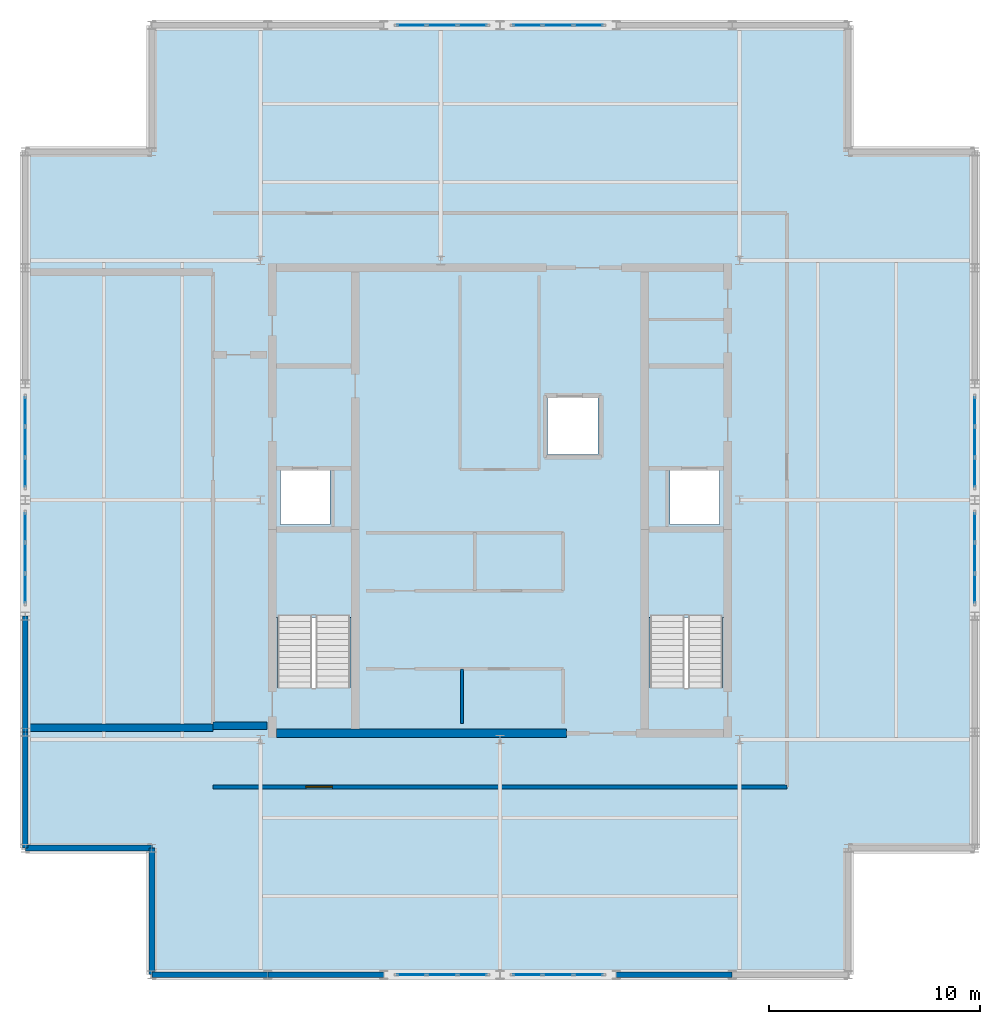
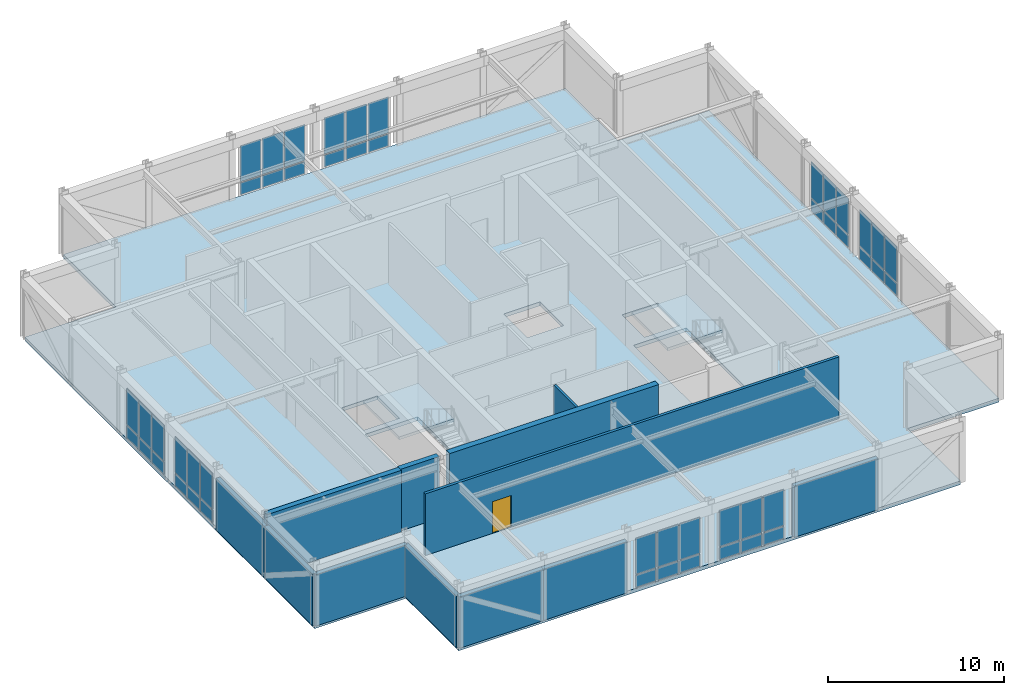
# One storey, part 6 of 9: 48 plates, 12 walls, 3 slabs, 1 door, 1 opening, 10 elements without a shape of their own.
"""IFC4 building model written with IfcOpenShell, lengths in metres."""

from ifc_helpers import new_model, si_unit, direction, frame, frame_2d, origin, origin_2d, place, context, subcontext, project, spatial, polyline, rectangle, outline, extrude, material, layer, layer_set, type_object, element, fill, aggregate, save


model = new_model("IFC4")

# Units and contexts
model_context = context("Model", 3, precision=1e-05, world=origin(), true_north=direction((0.0, 1.0)))
body_context = subcontext(model_context, "Body", "Model", "MODEL_VIEW")
ifc_project = project(units=[si_unit("LENGTHUNIT", "METRE"), si_unit("AREAUNIT", "SQUARE_METRE"), si_unit("VOLUMEUNIT", "CUBIC_METRE"), si_unit("PLANEANGLEUNIT", "RADIAN"), si_unit("MASSUNIT", "GRAM", prefix="KILO")], contexts=[model_context])

# Site, building, storey
site_placement = place(None, origin())
site = spatial("IfcSite", under=ifc_project, at=site_placement, CompositionType="ELEMENT")
building_placement = place(site_placement, origin())
building = spatial("IfcBuilding", under=site, at=building_placement, Name="Nhamokura Convention Tower", CompositionType="ELEMENT")
storey_placement = place(building_placement, frame((0.0, 0.0, 322.35009765625)))
storey = spatial("IfcBuildingStorey", under=building, at=storey_placement, Name="L79", CompositionType="ELEMENT", Elevation=322.35009765625)

# Curtain wall, plates
ifc_material_1 = material(Name="Anodised bronze aluminium AA6063-T6", Category="aluminium")
ifc_layer_1 = layer(ifc_material_1, 0.2099609375)
ifc_layer_set_1 = layer_set([ifc_layer_1], Name="CWSystem_SlantedCrown")
curtain_wall_type = type_object("IfcCurtainWallType", Name="CWSystem_SlantedCrown", PredefinedType="NOTDEFINED", material=ifc_layer_set_1)
curtain_wall_1_placement = place(storey_placement, origin())
curtain_wall_1 = element("IfcCurtainWall", 1, at=curtain_wall_1_placement, inside=storey, type_object=curtain_wall_type, Name="L79 Curtain Wall ENV-L79-CRCW-S2", PredefinedType="NOTDEFINED")
ifc_material_2 = material(Name="Solar-control bronze low-E double glass", Category="glass")
ifc_layer_2 = layer(ifc_material_2, 0.0400390625)
ifc_layer_set_2 = layer_set([ifc_layer_2], Name="CWGlazedPanel_3")
plate_type = type_object("IfcPlateType", Name="CWGlazedPanel_3", PredefinedType="CURTAIN_PANEL", material=ifc_layer_set_2)
plate_1_placement = place(storey_placement, frame((30.69677734375, 9.5, 0.079833984375), z_axis=(0.0, 0.0, 1.0), x_axis=(-1.0, 0.0, 0.0)))
plate_1 = element("IfcPlate", 2, at=plate_1_placement, type_object=plate_type, Name="CW-07 panel 1.1", PredefinedType="CURTAIN_PANEL", context=body_context, shape_type="SweptSolid", body=[
    extrude(rectangle(XDim=1.3466796875, YDim=0.0400390625, at=origin_2d()), origin(), (0.0, 0.0, 1.0), 0.830078125),
])
plate_2_placement = place(storey_placement, frame((30.69677734375, 9.5, 0.989990234375), z_axis=(0.0, 0.0, 1.0), x_axis=(-1.0, 0.0, 0.0)))
plate_2 = element("IfcPlate", 3, at=plate_2_placement, type_object=plate_type, Name="CW-07 panel 1.2", PredefinedType="CURTAIN_PANEL", context=body_context, shape_type="SweptSolid", body=[
    extrude(rectangle(XDim=1.3466796875, YDim=0.0400390625, at=origin_2d()), origin(), (0.0, 0.0, 1.0), 2.5),
])
plate_3_placement = place(storey_placement, frame((29.25, 9.5, 0.079833984375), z_axis=(0.0, 0.0, 1.0), x_axis=(-1.0, 0.0, 0.0)))
plate_3 = element("IfcPlate", 4, at=plate_3_placement, type_object=plate_type, Name="CW-07 panel 2.1", PredefinedType="CURTAIN_PANEL", context=body_context, shape_type="SweptSolid", body=[
    extrude(rectangle(XDim=1.38671875, YDim=0.0400390625, at=origin_2d()), origin(), (0.0, 0.0, 1.0), 0.830078125),
])
plate_4_placement = place(storey_placement, frame((29.25, 9.5, 0.989990234375), z_axis=(0.0, 0.0, 1.0), x_axis=(-1.0, 0.0, 0.0)))
plate_4 = element("IfcPlate", 5, at=plate_4_placement, type_object=plate_type, Name="CW-07 panel 2.2", PredefinedType="CURTAIN_PANEL", context=body_context, shape_type="SweptSolid", body=[
    extrude(rectangle(XDim=1.38671875, YDim=0.0400390625, at=origin_2d()), origin(), (0.0, 0.0, 1.0), 2.5),
])
plate_5_placement = place(storey_placement, frame((27.80322265625, 9.5, 0.079833984375), z_axis=(0.0, 0.0, 1.0), x_axis=(-1.0, 0.0, 0.0)))
plate_5 = element("IfcPlate", 6, at=plate_5_placement, type_object=plate_type, Name="CW-07 panel 3.1", PredefinedType="CURTAIN_PANEL", context=body_context, shape_type="SweptSolid", body=[
    extrude(rectangle(XDim=1.3466796875, YDim=0.0400390625, at=origin_2d()), origin(), (0.0, 0.0, 1.0), 0.830078125),
])
plate_6_placement = place(storey_placement, frame((27.80322265625, 9.5, 0.989990234375), z_axis=(0.0, 0.0, 1.0), x_axis=(-1.0, 0.0, 0.0)))
plate_6 = element("IfcPlate", 7, at=plate_6_placement, type_object=plate_type, Name="CW-07 panel 3.2", PredefinedType="CURTAIN_PANEL", context=body_context, shape_type="SweptSolid", body=[
    extrude(rectangle(XDim=1.3466796875, YDim=0.0400390625, at=origin_2d()), origin(), (0.0, 0.0, 1.0), 2.5),
])
aggregate(curtain_wall_1, [plate_1, plate_2, plate_3, plate_4, plate_5, plate_6])

curtain_wall_2_placement = place(storey_placement, origin())
curtain_wall_2 = element("IfcCurtainWall", 8, at=curtain_wall_2_placement, inside=storey, type_object=curtain_wall_type, Name="L79 Curtain Wall ENV-L79-CRCW-S3", PredefinedType="NOTDEFINED")
plate_7_placement = place(storey_placement, frame((36.19677734375, 9.5, 0.079833984375), z_axis=(0.0, 0.0, 1.0), x_axis=(-1.0, 0.0, 0.0)))
plate_7 = element("IfcPlate", 9, at=plate_7_placement, type_object=plate_type, Name="CW-07 panel 1.1", PredefinedType="CURTAIN_PANEL", context=body_context, shape_type="SweptSolid", body=[
    extrude(rectangle(XDim=1.3466796875, YDim=0.0400390625, at=origin_2d()), origin(), (0.0, 0.0, 1.0), 0.830078125),
])
plate_8_placement = place(storey_placement, frame((36.19677734375, 9.5, 0.989990234375), z_axis=(0.0, 0.0, 1.0), x_axis=(-1.0, 0.0, 0.0)))
plate_8 = element("IfcPlate", 10, at=plate_8_placement, type_object=plate_type, Name="CW-07 panel 1.2", PredefinedType="CURTAIN_PANEL", context=body_context, shape_type="SweptSolid", body=[
    extrude(rectangle(XDim=1.3466796875, YDim=0.0400390625, at=origin_2d()), origin(), (0.0, 0.0, 1.0), 2.5),
])
plate_9_placement = place(storey_placement, frame((34.75, 9.5, 0.079833984375), z_axis=(0.0, 0.0, 1.0), x_axis=(-1.0, 0.0, 0.0)))
plate_9 = element("IfcPlate", 11, at=plate_9_placement, type_object=plate_type, Name="CW-07 panel 2.1", PredefinedType="CURTAIN_PANEL", context=body_context, shape_type="SweptSolid", body=[
    extrude(rectangle(XDim=1.38671875, YDim=0.0400390625, at=origin_2d()), origin(), (0.0, 0.0, 1.0), 0.830078125),
])
plate_10_placement = place(storey_placement, frame((34.75, 9.5, 0.989990234375), z_axis=(0.0, 0.0, 1.0), x_axis=(-1.0, 0.0, 0.0)))
plate_10 = element("IfcPlate", 12, at=plate_10_placement, type_object=plate_type, Name="CW-07 panel 2.2", PredefinedType="CURTAIN_PANEL", context=body_context, shape_type="SweptSolid", body=[
    extrude(rectangle(XDim=1.38671875, YDim=0.0400390625, at=origin_2d()), origin(), (0.0, 0.0, 1.0), 2.5),
])
plate_11_placement = place(storey_placement, frame((33.30322265625, 9.5, 0.079833984375), z_axis=(0.0, 0.0, 1.0), x_axis=(-1.0, 0.0, 0.0)))
plate_11 = element("IfcPlate", 13, at=plate_11_placement, type_object=plate_type, Name="CW-07 panel 3.1", PredefinedType="CURTAIN_PANEL", context=body_context, shape_type="SweptSolid", body=[
    extrude(rectangle(XDim=1.3466796875, YDim=0.0400390625, at=origin_2d()), origin(), (0.0, 0.0, 1.0), 0.830078125),
])
plate_12_placement = place(storey_placement, frame((33.30322265625, 9.5, 0.989990234375), z_axis=(0.0, 0.0, 1.0), x_axis=(-1.0, 0.0, 0.0)))
plate_12 = element("IfcPlate", 14, at=plate_12_placement, type_object=plate_type, Name="CW-07 panel 3.2", PredefinedType="CURTAIN_PANEL", context=body_context, shape_type="SweptSolid", body=[
    extrude(rectangle(XDim=1.3466796875, YDim=0.0400390625, at=origin_2d()), origin(), (0.0, 0.0, 1.0), 2.5),
])
aggregate(curtain_wall_2, [plate_7, plate_8, plate_9, plate_10, plate_11, plate_12])

curtain_wall_3_placement = place(storey_placement, origin())
curtain_wall_3 = element("IfcCurtainWall", 15, at=curtain_wall_3_placement, inside=storey, type_object=curtain_wall_type, Name="L79 Curtain Wall ENV-L79-CRCW-N2", PredefinedType="NOTDEFINED")
plate_13_placement = place(storey_placement, frame((27.80322265625, 54.5, 0.079833984375), z_axis=(0.0, 0.0, 1.0), x_axis=(1.0, 0.0, 0.0)))
plate_13 = element("IfcPlate", 16, at=plate_13_placement, type_object=plate_type, Name="CW-07 panel 1.1", PredefinedType="CURTAIN_PANEL", context=body_context, shape_type="SweptSolid", body=[
    extrude(rectangle(XDim=1.3466796875, YDim=0.0400390625, at=origin_2d()), origin(), (0.0, 0.0, 1.0), 0.830078125),
])
plate_14_placement = place(storey_placement, frame((27.80322265625, 54.5, 0.989990234375), z_axis=(0.0, 0.0, 1.0), x_axis=(1.0, 0.0, 0.0)))
plate_14 = element("IfcPlate", 17, at=plate_14_placement, type_object=plate_type, Name="CW-07 panel 1.2", PredefinedType="CURTAIN_PANEL", context=body_context, shape_type="SweptSolid", body=[
    extrude(rectangle(XDim=1.3466796875, YDim=0.0400390625, at=origin_2d()), origin(), (0.0, 0.0, 1.0), 2.5),
])
plate_15_placement = place(storey_placement, frame((29.25, 54.5, 0.079833984375), z_axis=(0.0, 0.0, 1.0), x_axis=(1.0, 0.0, 0.0)))
plate_15 = element("IfcPlate", 18, at=plate_15_placement, type_object=plate_type, Name="CW-07 panel 2.1", PredefinedType="CURTAIN_PANEL", context=body_context, shape_type="SweptSolid", body=[
    extrude(rectangle(XDim=1.38671875, YDim=0.0400390625, at=origin_2d()), origin(), (0.0, 0.0, 1.0), 0.830078125),
])
plate_16_placement = place(storey_placement, frame((29.25, 54.5, 0.989990234375), z_axis=(0.0, 0.0, 1.0), x_axis=(1.0, 0.0, 0.0)))
plate_16 = element("IfcPlate", 19, at=plate_16_placement, type_object=plate_type, Name="CW-07 panel 2.2", PredefinedType="CURTAIN_PANEL", context=body_context, shape_type="SweptSolid", body=[
    extrude(rectangle(XDim=1.38671875, YDim=0.0400390625, at=origin_2d()), origin(), (0.0, 0.0, 1.0), 2.5),
])
plate_17_placement = place(storey_placement, frame((30.69677734375, 54.5, 0.079833984375), z_axis=(0.0, 0.0, 1.0), x_axis=(1.0, 0.0, 0.0)))
plate_17 = element("IfcPlate", 20, at=plate_17_placement, type_object=plate_type, Name="CW-07 panel 3.1", PredefinedType="CURTAIN_PANEL", context=body_context, shape_type="SweptSolid", body=[
    extrude(rectangle(XDim=1.3466796875, YDim=0.0400390625, at=origin_2d()), origin(), (0.0, 0.0, 1.0), 0.830078125),
])
plate_18_placement = place(storey_placement, frame((30.69677734375, 54.5, 0.989990234375), z_axis=(0.0, 0.0, 1.0), x_axis=(1.0, 0.0, 0.0)))
plate_18 = element("IfcPlate", 21, at=plate_18_placement, type_object=plate_type, Name="CW-07 panel 3.2", PredefinedType="CURTAIN_PANEL", context=body_context, shape_type="SweptSolid", body=[
    extrude(rectangle(XDim=1.3466796875, YDim=0.0400390625, at=origin_2d()), origin(), (0.0, 0.0, 1.0), 2.5),
])
aggregate(curtain_wall_3, [plate_13, plate_14, plate_15, plate_16, plate_17, plate_18])

curtain_wall_4_placement = place(storey_placement, origin())
curtain_wall_4 = element("IfcCurtainWall", 22, at=curtain_wall_4_placement, inside=storey, type_object=curtain_wall_type, Name="L79 Curtain Wall ENV-L79-CRCW-N3", PredefinedType="NOTDEFINED")
plate_19_placement = place(storey_placement, frame((33.30322265625, 54.5, 0.079833984375), z_axis=(0.0, 0.0, 1.0), x_axis=(1.0, 0.0, 0.0)))
plate_19 = element("IfcPlate", 23, at=plate_19_placement, type_object=plate_type, Name="CW-07 panel 1.1", PredefinedType="CURTAIN_PANEL", context=body_context, shape_type="SweptSolid", body=[
    extrude(rectangle(XDim=1.3466796875, YDim=0.0400390625, at=origin_2d()), origin(), (0.0, 0.0, 1.0), 0.830078125),
])
plate_20_placement = place(storey_placement, frame((33.30322265625, 54.5, 0.989990234375), z_axis=(0.0, 0.0, 1.0), x_axis=(1.0, 0.0, 0.0)))
plate_20 = element("IfcPlate", 24, at=plate_20_placement, type_object=plate_type, Name="CW-07 panel 1.2", PredefinedType="CURTAIN_PANEL", context=body_context, shape_type="SweptSolid", body=[
    extrude(rectangle(XDim=1.3466796875, YDim=0.0400390625, at=origin_2d()), origin(), (0.0, 0.0, 1.0), 2.5),
])
plate_21_placement = place(storey_placement, frame((34.75, 54.5, 0.079833984375), z_axis=(0.0, 0.0, 1.0), x_axis=(1.0, 0.0, 0.0)))
plate_21 = element("IfcPlate", 25, at=plate_21_placement, type_object=plate_type, Name="CW-07 panel 2.1", PredefinedType="CURTAIN_PANEL", context=body_context, shape_type="SweptSolid", body=[
    extrude(rectangle(XDim=1.38671875, YDim=0.0400390625, at=origin_2d()), origin(), (0.0, 0.0, 1.0), 0.830078125),
])
plate_22_placement = place(storey_placement, frame((34.75, 54.5, 0.989990234375), z_axis=(0.0, 0.0, 1.0), x_axis=(1.0, 0.0, 0.0)))
plate_22 = element("IfcPlate", 26, at=plate_22_placement, type_object=plate_type, Name="CW-07 panel 2.2", PredefinedType="CURTAIN_PANEL", context=body_context, shape_type="SweptSolid", body=[
    extrude(rectangle(XDim=1.38671875, YDim=0.0400390625, at=origin_2d()), origin(), (0.0, 0.0, 1.0), 2.5),
])
plate_23_placement = place(storey_placement, frame((36.19677734375, 54.5, 0.079833984375), z_axis=(0.0, 0.0, 1.0), x_axis=(1.0, 0.0, 0.0)))
plate_23 = element("IfcPlate", 27, at=plate_23_placement, type_object=plate_type, Name="CW-07 panel 3.1", PredefinedType="CURTAIN_PANEL", context=body_context, shape_type="SweptSolid", body=[
    extrude(rectangle(XDim=1.3466796875, YDim=0.0400390625, at=origin_2d()), origin(), (0.0, 0.0, 1.0), 0.830078125),
])
plate_24_placement = place(storey_placement, frame((36.19677734375, 54.5, 0.989990234375), z_axis=(0.0, 0.0, 1.0), x_axis=(1.0, 0.0, 0.0)))
plate_24 = element("IfcPlate", 28, at=plate_24_placement, type_object=plate_type, Name="CW-07 panel 3.2", PredefinedType="CURTAIN_PANEL", context=body_context, shape_type="SweptSolid", body=[
    extrude(rectangle(XDim=1.3466796875, YDim=0.0400390625, at=origin_2d()), origin(), (0.0, 0.0, 1.0), 2.5),
])
aggregate(curtain_wall_4, [plate_19, plate_20, plate_21, plate_22, plate_23, plate_24])

curtain_wall_5_placement = place(storey_placement, origin())
curtain_wall_5 = element("IfcCurtainWall", 29, at=curtain_wall_5_placement, inside=storey, type_object=curtain_wall_type, Name="L79 Curtain Wall ENV-L79-CRCW-W2", PredefinedType="NOTDEFINED")
plate_25_placement = place(storey_placement, frame((9.5, 27.80322265625, 0.079833984375), z_axis=(0.0, 0.0, 1.0), x_axis=(0.0, 1.0, 0.0)))
plate_25 = element("IfcPlate", 30, at=plate_25_placement, type_object=plate_type, Name="CW-07 panel 1.1", PredefinedType="CURTAIN_PANEL", context=body_context, shape_type="SweptSolid", body=[
    extrude(rectangle(XDim=1.3466796875, YDim=0.0400390625, at=origin_2d()), origin(), (0.0, 0.0, 1.0), 0.830078125),
])
plate_26_placement = place(storey_placement, frame((9.5, 27.80322265625, 0.989990234375), z_axis=(0.0, 0.0, 1.0), x_axis=(0.0, 1.0, 0.0)))
plate_26 = element("IfcPlate", 31, at=plate_26_placement, type_object=plate_type, Name="CW-07 panel 1.2", PredefinedType="CURTAIN_PANEL", context=body_context, shape_type="SweptSolid", body=[
    extrude(rectangle(XDim=1.3466796875, YDim=0.0400390625, at=origin_2d()), origin(), (0.0, 0.0, 1.0), 2.5),
])
plate_27_placement = place(storey_placement, frame((9.5, 29.25, 0.079833984375), z_axis=(0.0, 0.0, 1.0), x_axis=(0.0, 1.0, 0.0)))
plate_27 = element("IfcPlate", 32, at=plate_27_placement, type_object=plate_type, Name="CW-07 panel 2.1", PredefinedType="CURTAIN_PANEL", context=body_context, shape_type="SweptSolid", body=[
    extrude(rectangle(XDim=1.38671875, YDim=0.0400390625, at=origin_2d()), origin(), (0.0, 0.0, 1.0), 0.830078125),
])
plate_28_placement = place(storey_placement, frame((9.5, 29.25, 0.989990234375), z_axis=(0.0, 0.0, 1.0), x_axis=(0.0, 1.0, 0.0)))
plate_28 = element("IfcPlate", 33, at=plate_28_placement, type_object=plate_type, Name="CW-07 panel 2.2", PredefinedType="CURTAIN_PANEL", context=body_context, shape_type="SweptSolid", body=[
    extrude(rectangle(XDim=1.38671875, YDim=0.0400390625, at=origin_2d()), origin(), (0.0, 0.0, 1.0), 2.5),
])
plate_29_placement = place(storey_placement, frame((9.5, 30.69677734375, 0.079833984375), z_axis=(0.0, 0.0, 1.0), x_axis=(0.0, 1.0, 0.0)))
plate_29 = element("IfcPlate", 34, at=plate_29_placement, type_object=plate_type, Name="CW-07 panel 3.1", PredefinedType="CURTAIN_PANEL", context=body_context, shape_type="SweptSolid", body=[
    extrude(rectangle(XDim=1.3466796875, YDim=0.0400390625, at=origin_2d()), origin(), (0.0, 0.0, 1.0), 0.830078125),
])
plate_30_placement = place(storey_placement, frame((9.5, 30.69677734375, 0.989990234375), z_axis=(0.0, 0.0, 1.0), x_axis=(0.0, 1.0, 0.0)))
plate_30 = element("IfcPlate", 35, at=plate_30_placement, type_object=plate_type, Name="CW-07 panel 3.2", PredefinedType="CURTAIN_PANEL", context=body_context, shape_type="SweptSolid", body=[
    extrude(rectangle(XDim=1.3466796875, YDim=0.0400390625, at=origin_2d()), origin(), (0.0, 0.0, 1.0), 2.5),
])
aggregate(curtain_wall_5, [plate_25, plate_26, plate_27, plate_28, plate_29, plate_30])

curtain_wall_6_placement = place(storey_placement, origin())
curtain_wall_6 = element("IfcCurtainWall", 36, at=curtain_wall_6_placement, inside=storey, type_object=curtain_wall_type, Name="L79 Curtain Wall ENV-L79-CRCW-W3", PredefinedType="NOTDEFINED")
plate_31_placement = place(storey_placement, frame((9.5, 33.30322265625, 0.079833984375), z_axis=(0.0, 0.0, 1.0), x_axis=(0.0, 1.0, 0.0)))
plate_31 = element("IfcPlate", 37, at=plate_31_placement, type_object=plate_type, Name="CW-07 panel 1.1", PredefinedType="CURTAIN_PANEL", context=body_context, shape_type="SweptSolid", body=[
    extrude(rectangle(XDim=1.3466796875, YDim=0.0400390625, at=origin_2d()), origin(), (0.0, 0.0, 1.0), 0.830078125),
])
plate_32_placement = place(storey_placement, frame((9.5, 33.30322265625, 0.989990234375), z_axis=(0.0, 0.0, 1.0), x_axis=(0.0, 1.0, 0.0)))
plate_32 = element("IfcPlate", 38, at=plate_32_placement, type_object=plate_type, Name="CW-07 panel 1.2", PredefinedType="CURTAIN_PANEL", context=body_context, shape_type="SweptSolid", body=[
    extrude(rectangle(XDim=1.3466796875, YDim=0.0400390625, at=origin_2d()), origin(), (0.0, 0.0, 1.0), 2.5),
])
plate_33_placement = place(storey_placement, frame((9.5, 34.75, 0.079833984375), z_axis=(0.0, 0.0, 1.0), x_axis=(0.0, 1.0, 0.0)))
plate_33 = element("IfcPlate", 39, at=plate_33_placement, type_object=plate_type, Name="CW-07 panel 2.1", PredefinedType="CURTAIN_PANEL", context=body_context, shape_type="SweptSolid", body=[
    extrude(rectangle(XDim=1.38671875, YDim=0.0400390625, at=origin_2d()), origin(), (0.0, 0.0, 1.0), 0.830078125),
])
plate_34_placement = place(storey_placement, frame((9.5, 34.75, 0.989990234375), z_axis=(0.0, 0.0, 1.0), x_axis=(0.0, 1.0, 0.0)))
plate_34 = element("IfcPlate", 40, at=plate_34_placement, type_object=plate_type, Name="CW-07 panel 2.2", PredefinedType="CURTAIN_PANEL", context=body_context, shape_type="SweptSolid", body=[
    extrude(rectangle(XDim=1.38671875, YDim=0.0400390625, at=origin_2d()), origin(), (0.0, 0.0, 1.0), 2.5),
])
plate_35_placement = place(storey_placement, frame((9.5, 36.19677734375, 0.079833984375), z_axis=(0.0, 0.0, 1.0), x_axis=(0.0, 1.0, 0.0)))
plate_35 = element("IfcPlate", 41, at=plate_35_placement, type_object=plate_type, Name="CW-07 panel 3.1", PredefinedType="CURTAIN_PANEL", context=body_context, shape_type="SweptSolid", body=[
    extrude(rectangle(XDim=1.3466796875, YDim=0.0400390625, at=origin_2d()), origin(), (0.0, 0.0, 1.0), 0.830078125),
])
plate_36_placement = place(storey_placement, frame((9.5, 36.19677734375, 0.989990234375), z_axis=(0.0, 0.0, 1.0), x_axis=(0.0, 1.0, 0.0)))
plate_36 = element("IfcPlate", 42, at=plate_36_placement, type_object=plate_type, Name="CW-07 panel 3.2", PredefinedType="CURTAIN_PANEL", context=body_context, shape_type="SweptSolid", body=[
    extrude(rectangle(XDim=1.3466796875, YDim=0.0400390625, at=origin_2d()), origin(), (0.0, 0.0, 1.0), 2.5),
])
aggregate(curtain_wall_6, [plate_31, plate_32, plate_33, plate_34, plate_35, plate_36])

curtain_wall_7_placement = place(storey_placement, origin())
curtain_wall_7 = element("IfcCurtainWall", 43, at=curtain_wall_7_placement, inside=storey, type_object=curtain_wall_type, Name="L79 Curtain Wall ENV-L79-CRCW-E2", PredefinedType="NOTDEFINED")
plate_37_placement = place(storey_placement, frame((54.5, 30.69677734375, 0.079833984375), z_axis=(0.0, 0.0, 1.0), x_axis=(0.0, -1.0, 0.0)))
plate_37 = element("IfcPlate", 44, at=plate_37_placement, type_object=plate_type, Name="CW-07 panel 1.1", PredefinedType="CURTAIN_PANEL", context=body_context, shape_type="SweptSolid", body=[
    extrude(rectangle(XDim=1.3466796875, YDim=0.0400390625, at=origin_2d()), origin(), (0.0, 0.0, 1.0), 0.830078125),
])
plate_38_placement = place(storey_placement, frame((54.5, 30.69677734375, 0.989990234375), z_axis=(0.0, 0.0, 1.0), x_axis=(0.0, -1.0, 0.0)))
plate_38 = element("IfcPlate", 45, at=plate_38_placement, type_object=plate_type, Name="CW-07 panel 1.2", PredefinedType="CURTAIN_PANEL", context=body_context, shape_type="SweptSolid", body=[
    extrude(rectangle(XDim=1.3466796875, YDim=0.0400390625, at=origin_2d()), origin(), (0.0, 0.0, 1.0), 2.5),
])
plate_39_placement = place(storey_placement, frame((54.5, 29.25, 0.079833984375), z_axis=(0.0, 0.0, 1.0), x_axis=(0.0, -1.0, 0.0)))
plate_39 = element("IfcPlate", 46, at=plate_39_placement, type_object=plate_type, Name="CW-07 panel 2.1", PredefinedType="CURTAIN_PANEL", context=body_context, shape_type="SweptSolid", body=[
    extrude(rectangle(XDim=1.38671875, YDim=0.0400390625, at=origin_2d()), origin(), (0.0, 0.0, 1.0), 0.830078125),
])
plate_40_placement = place(storey_placement, frame((54.5, 29.25, 0.989990234375), z_axis=(0.0, 0.0, 1.0), x_axis=(0.0, -1.0, 0.0)))
plate_40 = element("IfcPlate", 47, at=plate_40_placement, type_object=plate_type, Name="CW-07 panel 2.2", PredefinedType="CURTAIN_PANEL", context=body_context, shape_type="SweptSolid", body=[
    extrude(rectangle(XDim=1.38671875, YDim=0.0400390625, at=origin_2d()), origin(), (0.0, 0.0, 1.0), 2.5),
])
plate_41_placement = place(storey_placement, frame((54.5, 27.80322265625, 0.079833984375), z_axis=(0.0, 0.0, 1.0), x_axis=(0.0, -1.0, 0.0)))
plate_41 = element("IfcPlate", 48, at=plate_41_placement, type_object=plate_type, Name="CW-07 panel 3.1", PredefinedType="CURTAIN_PANEL", context=body_context, shape_type="SweptSolid", body=[
    extrude(rectangle(XDim=1.3466796875, YDim=0.0400390625, at=origin_2d()), origin(), (0.0, 0.0, 1.0), 0.830078125),
])
plate_42_placement = place(storey_placement, frame((54.5, 27.80322265625, 0.989990234375), z_axis=(0.0, 0.0, 1.0), x_axis=(0.0, -1.0, 0.0)))
plate_42 = element("IfcPlate", 49, at=plate_42_placement, type_object=plate_type, Name="CW-07 panel 3.2", PredefinedType="CURTAIN_PANEL", context=body_context, shape_type="SweptSolid", body=[
    extrude(rectangle(XDim=1.3466796875, YDim=0.0400390625, at=origin_2d()), origin(), (0.0, 0.0, 1.0), 2.5),
])
aggregate(curtain_wall_7, [plate_37, plate_38, plate_39, plate_40, plate_41, plate_42])

curtain_wall_8_placement = place(storey_placement, origin())
curtain_wall_8 = element("IfcCurtainWall", 50, at=curtain_wall_8_placement, inside=storey, type_object=curtain_wall_type, Name="L79 Curtain Wall ENV-L79-CRCW-E3", PredefinedType="NOTDEFINED")
plate_43_placement = place(storey_placement, frame((54.5, 36.19677734375, 0.079833984375), z_axis=(0.0, 0.0, 1.0), x_axis=(0.0, -1.0, 0.0)))
plate_43 = element("IfcPlate", 51, at=plate_43_placement, type_object=plate_type, Name="CW-07 panel 1.1", PredefinedType="CURTAIN_PANEL", context=body_context, shape_type="SweptSolid", body=[
    extrude(rectangle(XDim=1.3466796875, YDim=0.0400390625, at=origin_2d()), origin(), (0.0, 0.0, 1.0), 0.830078125),
])
plate_44_placement = place(storey_placement, frame((54.5, 36.19677734375, 0.989990234375), z_axis=(0.0, 0.0, 1.0), x_axis=(0.0, -1.0, 0.0)))
plate_44 = element("IfcPlate", 52, at=plate_44_placement, type_object=plate_type, Name="CW-07 panel 1.2", PredefinedType="CURTAIN_PANEL", context=body_context, shape_type="SweptSolid", body=[
    extrude(rectangle(XDim=1.3466796875, YDim=0.0400390625, at=origin_2d()), origin(), (0.0, 0.0, 1.0), 2.5),
])
plate_45_placement = place(storey_placement, frame((54.5, 34.75, 0.079833984375), z_axis=(0.0, 0.0, 1.0), x_axis=(0.0, -1.0, 0.0)))
plate_45 = element("IfcPlate", 53, at=plate_45_placement, type_object=plate_type, Name="CW-07 panel 2.1", PredefinedType="CURTAIN_PANEL", context=body_context, shape_type="SweptSolid", body=[
    extrude(rectangle(XDim=1.38671875, YDim=0.0400390625, at=origin_2d()), origin(), (0.0, 0.0, 1.0), 0.830078125),
])
plate_46_placement = place(storey_placement, frame((54.5, 34.75, 0.989990234375), z_axis=(0.0, 0.0, 1.0), x_axis=(0.0, -1.0, 0.0)))
plate_46 = element("IfcPlate", 54, at=plate_46_placement, type_object=plate_type, Name="CW-07 panel 2.2", PredefinedType="CURTAIN_PANEL", context=body_context, shape_type="SweptSolid", body=[
    extrude(rectangle(XDim=1.38671875, YDim=0.0400390625, at=origin_2d()), origin(), (0.0, 0.0, 1.0), 2.5),
])
plate_47_placement = place(storey_placement, frame((54.5, 33.30322265625, 0.079833984375), z_axis=(0.0, 0.0, 1.0), x_axis=(0.0, -1.0, 0.0)))
plate_47 = element("IfcPlate", 55, at=plate_47_placement, type_object=plate_type, Name="CW-07 panel 3.1", PredefinedType="CURTAIN_PANEL", context=body_context, shape_type="SweptSolid", body=[
    extrude(rectangle(XDim=1.3466796875, YDim=0.0400390625, at=origin_2d()), origin(), (0.0, 0.0, 1.0), 0.830078125),
])
plate_48_placement = place(storey_placement, frame((54.5, 33.30322265625, 0.989990234375), z_axis=(0.0, 0.0, 1.0), x_axis=(0.0, -1.0, 0.0)))
plate_48 = element("IfcPlate", 56, at=plate_48_placement, type_object=plate_type, Name="CW-07 panel 3.2", PredefinedType="CURTAIN_PANEL", context=body_context, shape_type="SweptSolid", body=[
    extrude(rectangle(XDim=1.3466796875, YDim=0.0400390625, at=origin_2d()), origin(), (0.0, 0.0, 1.0), 2.5),
])
aggregate(curtain_wall_8, [plate_43, plate_44, plate_45, plate_46, plate_47, plate_48])

# Slab
ifc_material_3 = material(Name="Concrete C40/50", Category="concrete")
ifc_layer_3 = layer(ifc_material_3, 0.260009765625)
ifc_layer_set_3 = layer_set([ifc_layer_3], Name="RefugePlantSlab_260")
slab_type_1 = type_object("IfcSlabType", Name="RefugePlantSlab_260", PredefinedType="FLOOR", material=ifc_layer_set_3)
slab_1_placement = place(storey_placement, frame((0.0, 0.0, -0.260009765625)))
element("IfcSlab", 57, at=slab_1_placement, inside=storey, type_object=slab_type_1, Name="L79 Structural Floor Slab", PredefinedType="FLOOR", context=body_context, shape_type="SweptSolid", body=[
    extrude(outline(polyline([(15.5, 9.5), (48.5, 9.5), (48.5, 15.5), (54.5, 15.5), (54.5, 48.5), (48.5, 48.5), (48.5, 54.5), (15.5, 54.5), (15.5, 48.5), (9.5, 48.5), (9.5, 15.5), (15.5, 15.5), (15.5, 9.5)]), holes=[polyline([(24.89990234375, 23.10009765625), (24.89990234375, 30.449951171875), (21.449951171875, 30.449951171875), (21.449951171875, 23.10009765625), (24.89990234375, 23.10009765625)]), polyline([(42.550048828125, 23.10009765625), (42.550048828125, 30.449951171875), (39.10009765625, 30.449951171875), (39.10009765625, 23.10009765625), (42.550048828125, 23.10009765625)]), polyline([(21.60009765625, 30.85009765625), (23.949951171875, 30.85009765625), (23.949951171875, 33.39990234375), (21.60009765625, 33.39990234375), (21.60009765625, 30.85009765625)]), polyline([(40.050048828125, 30.85009765625), (42.39990234375, 30.85009765625), (42.39990234375, 33.39990234375), (40.050048828125, 33.39990234375), (40.050048828125, 30.85009765625)]), polyline([(34.25, 34.14990234375), (36.64990234375, 34.14990234375), (36.64990234375, 36.85009765625), (34.25, 36.85009765625), (34.25, 34.14990234375)])]), origin(), (0.0, 0.0, 1.0), 0.260009765625),
])

# Stair, slab
ifc_material_4 = material(Name="Concrete C40/50", Category="concrete")
stair_type = type_object("IfcStairType", Name="TowerCoreStair_1650", PredefinedType="HALF_TURN_STAIR", material=ifc_material_4)
stair_1_placement = place(storey_placement, origin())
stair_1 = element("IfcStair", 58, at=stair_1_placement, inside=storey, type_object=stair_type, Name="L79 West Core Smokeproof Stair ST-01", PredefinedType="HALF_TURN_STAIR")
ifc_material_5 = material(Name="Concrete C40/50", Category="concrete")
ifc_layer_4 = layer(ifc_material_5, 0.199951171875)
ifc_layer_set_4 = layer_set([ifc_layer_4], Name="StairLandingSlab_200")
slab_type_2 = type_object("IfcSlabType", Name="StairLandingSlab_200", PredefinedType="LANDING", material=ifc_layer_set_4)
slab_2_placement = place(storey_placement, frame((0.0, 0.0, 2.074951171875)))
slab_2 = element("IfcSlab", 59, at=slab_2_placement, type_object=slab_type_2, Name="ST-01 landing 1", PredefinedType="LANDING", context=body_context, shape_type="SweptSolid", body=[
    extrude(outline(polyline([(24.97998046875, 26.43994140625), (24.97998046875, 30.530029296875), (21.3701171875, 30.530029296875), (21.3701171875, 26.43994140625), (24.97998046875, 26.43994140625)])), origin(), (0.0, 0.0, 1.0), 0.199951171875),
])
aggregate(stair_1, [slab_2])

stair_2_placement = place(storey_placement, origin())
stair_2 = element("IfcStair", 60, at=stair_2_placement, inside=storey, type_object=stair_type, Name="L79 East Core Smokeproof Stair ST-02", PredefinedType="HALF_TURN_STAIR")
slab_3_placement = place(storey_placement, frame((0.0, 0.0, 2.074951171875)))
slab_3 = element("IfcSlab", 61, at=slab_3_placement, type_object=slab_type_2, Name="ST-02 landing 1", PredefinedType="LANDING", context=body_context, shape_type="SweptSolid", body=[
    extrude(outline(polyline([(42.6298828125, 26.43994140625), (42.6298828125, 30.530029296875), (39.02001953125, 30.530029296875), (39.02001953125, 26.43994140625), (42.6298828125, 26.43994140625)])), origin(), (0.0, 0.0, 1.0), 0.199951171875),
])
aggregate(stair_2, [slab_3])

# Walls
ifc_material_6 = material(Name="Bronze-pigmented precast concrete C45/55", Category="concrete")
ifc_layer_5 = layer(ifc_material_6, 0.280029296875)
ifc_layer_set_5 = layer_set([ifc_layer_5], Name="BronzePrecastSpandrel_280")
wall_type_1 = type_object("IfcWallType", Name="BronzePrecastSpandrel_280", PredefinedType="USERDEFINED", material=ifc_layer_set_5)
for number, where, z_axis, x_axis, name in (
    (62, (21.0, 9.5, 0.0), (0.0, 0.0, 1.0), (-1.0, 0.0, 0.0), "L79 Crown Wall SOUTH 0"),
    (63, (26.5, 9.5, 0.0), (0.0, 0.0, 1.0), (-1.0, 0.0, 0.0), "L79 Crown Wall SOUTH 1"),
    (64, (43.0, 9.5, 0.0), (0.0, 0.0, 1.0), (-1.0, 0.0, 0.0), "L79 Crown Wall SOUTH 4"),
    (65, (9.5, 15.5, 0.0), (0.0, 0.0, 1.0), (0.0, 1.0, 0.0), "L79 Crown Wall WEST 0"),
    (66, (9.5, 21.0, 0.0), (0.0, 0.0, 1.0), (0.0, 1.0, 0.0), "L79 Crown Wall WEST 1"),
):
    element("IfcWall", number, at=place(storey_placement, frame(where, z_axis=z_axis, x_axis=x_axis)), inside=storey, type_object=wall_type_1, Name=name, ObjectType="SPANDREL_WALL", PredefinedType="USERDEFINED", context=body_context, shape_type="SweptSolid", body=[
        extrude(rectangle(XDim=5.5, YDim=0.280029296875, at=frame_2d((2.75, 0.0))), origin(), (0.0, 0.0, 1.0), 3.56982421875),
    ])
for number, where, z_axis, x_axis, name in (
    (67, (15.5, 9.5, 0.0), (0.0, 0.0, 1.0), (0.0, 1.0, 0.0), "L79 Crown Notch Wall SW1"),
    (68, (15.5, 15.5, 0.0), (0.0, 0.0, 1.0), (-1.0, 0.0, 0.0), "L79 Crown Notch Wall SW2"),
):
    element("IfcWall", number, at=place(storey_placement, frame(where, z_axis=z_axis, x_axis=x_axis)), inside=storey, type_object=wall_type_1, Name=name, ObjectType="SPANDREL_WALL", PredefinedType="USERDEFINED", context=body_context, shape_type="SweptSolid", body=[
        extrude(rectangle(XDim=6.0, YDim=0.280029296875, at=frame_2d((3.0, 0.0))), origin(), (0.0, 0.0, 1.0), 3.56982421875),
    ])
ifc_material_7 = material(Name="Concrete C50/60", Category="concrete")
ifc_layer_6 = layer(ifc_material_7, 0.39990234375)
ifc_layer_set_6 = layer_set([ifc_layer_6], Name="CoreShearWall_400")
wall_type_2 = type_object("IfcWallType", Name="CoreShearWall_400", PredefinedType="SHEAR", material=ifc_layer_set_6)
wall_1_placement = place(storey_placement, frame((21.409912109375, 20.949951171875, 0.0), z_axis=(0.0, 0.0, 1.0), x_axis=(1.0, 0.0, 0.0)))
element("IfcWall", 69, at=wall_1_placement, inside=storey, type_object=wall_type_2, Name="L79 Core Shear Wall CW-S1", PredefinedType="SHEAR", context=body_context, shape_type="SweptSolid", body=[
    extrude(rectangle(XDim=13.739990234375, YDim=0.39990234375, at=frame_2d((6.8701171875, 0.0))), origin(), (0.0, 0.0, 1.0), 4.5498046875),
])

# Wall, opening, door
ifc_material_8 = material(Name="Fire-rated gypsum and masonry partition", Category="masonry")
ifc_layer_7 = layer(ifc_material_8, 0.179931640625)
ifc_layer_set_7 = layer_set([ifc_layer_7], Name="CorridorRatedWall_180")
wall_type_3 = type_object("IfcWallType", Name="CorridorRatedWall_180", PredefinedType="STANDARD", material=ifc_layer_set_7)
wall_2_placement = place(storey_placement, frame((18.39990234375, 18.39990234375, 0.0), z_axis=(0.0, 0.0, 1.0), x_axis=(1.0, 0.0, 0.0)))
wall_2 = element("IfcWall", 70, at=wall_2_placement, inside=storey, type_object=wall_type_3, Name="L79 Wall INT-L79-CW-S00", PredefinedType="STANDARD", context=body_context, shape_type="SweptSolid", body=[
    extrude(rectangle(XDim=27.2001953125, YDim=0.179931640625, at=frame_2d((13.60009765625, 0.0))), origin(), (0.0, 0.0, 1.0), 4.289794921875),
])
opening_placement = place(wall_2_placement, frame((4.39990234375, 0.0, 0.0)))
opening = element("IfcOpeningElement", 71, at=opening_placement, cuts=wall_2, Name="Opening D-12", PredefinedType="OPENING", context=body_context, shape_type="SweptSolid", body=[
    extrude(rectangle(XDim=1.25, YDim=2.199951171875, at=frame_2d((0.625, 1.10009765625))), frame((0.0, 0.099853515625, 0.0), z_axis=(0.0, -1.0, 0.0), x_axis=(1.0, 0.0, 0.0)), (0.0, 0.0, 1.0), 0.199951171875),
])
ifc_material_9 = material(Name="Fire-rated steel door", Category="steel")
door_type = type_object("IfcDoorType", Name="PlantServiceDoor_1250", OperationType="NOTDEFINED", PredefinedType="DOOR", material=ifc_material_9)
door_placement = place(opening_placement, origin())
door = element("IfcDoor", 72, at=door_placement, inside=storey, type_object=door_type, Name="L79 Smoke Pressurisation Plant S01 Door", OperationType="SINGLE_SWING_LEFT", OverallHeight=2.199951171875, OverallWidth=1.25, PredefinedType="DOOR", context=body_context, shape_type="SweptSolid", body=[
    extrude(rectangle(XDim=1.25, YDim=2.199951171875, at=frame_2d((0.625, 1.10009765625))), frame((0.0, 0.02490234375, 0.0), z_axis=(0.0, -1.0, 0.0), x_axis=(1.0, 0.0, 0.0)), (0.0, 0.0, 1.0), 0.050048828125),
])
fill(opening, door)

# Walls
ifc_material_10 = material(Name="Concrete C50/60", Category="concrete")
ifc_layer_8 = layer(ifc_material_10, 0.35009765625)
ifc_layer_set_8 = layer_set([ifc_layer_8], Name="FirewallPlant_350")
wall_type_4 = type_object("IfcWallType", Name="FirewallPlant_350", PredefinedType="STANDARD", material=ifc_layer_set_8)
wall_3_placement = place(storey_placement, frame((18.39990234375, 21.300048828125, 0.0), z_axis=(0.0, 0.0, 1.0), x_axis=(1.0, 0.0, 0.0)))
element("IfcWall", 73, at=wall_3_placement, inside=storey, type_object=wall_type_4, Name="L79 Wall INT-L79-RLOB-S", PredefinedType="STANDARD", context=body_context, shape_type="SweptSolid", body=[
    extrude(rectangle(XDim=2.550048828125, YDim=0.35009765625, at=frame_2d((1.27490234375, 0.0))), origin(), (0.0, 0.0, 1.0), 4.289794921875),
])
wall_4_placement = place(storey_placement, frame((9.56005859375, 21.199951171875, 0.0), z_axis=(0.0, 0.0, 1.0), x_axis=(1.0, 0.0, 0.0)))
element("IfcWall", 74, at=wall_4_placement, inside=storey, type_object=wall_type_4, Name="L79 Wall INT-L79-RWB-W", PredefinedType="STANDARD", context=body_context, shape_type="SweptSolid", body=[
    extrude(rectangle(XDim=8.83984375, YDim=0.35009765625, at=frame_2d((4.419921875, 0.0))), origin(), (0.0, 0.0, 1.0), 4.289794921875),
])
ifc_material_11 = material(Name="Acoustic gypsum stud partition", Category="masonry")
ifc_layer_9 = layer(ifc_material_11, 0.14990234375)
ifc_layer_set_9 = layer_set([ifc_layer_9], Name="InteriorPartition_150")
wall_type_5 = type_object("IfcWallType", Name="InteriorPartition_150", PredefinedType="STANDARD", material=ifc_layer_set_9)
wall_5_placement = place(storey_placement, frame((30.199951171875, 21.39990234375, 0.0), z_axis=(0.0, 0.0, 1.0), x_axis=(0.0, 1.0, 0.0)))
element("IfcWall", 75, at=wall_5_placement, inside=storey, type_object=wall_type_5, Name="L79 Wall INT-L79-B1R-M", PredefinedType="STANDARD", context=body_context, shape_type="SweptSolid", body=[
    extrude(rectangle(XDim=2.60009765625, YDim=0.14990234375, at=frame_2d((1.300048828125, 0.0))), origin(), (0.0, 0.0, 1.0), 4.289794921875),
])

save(model, "model.ifc")
